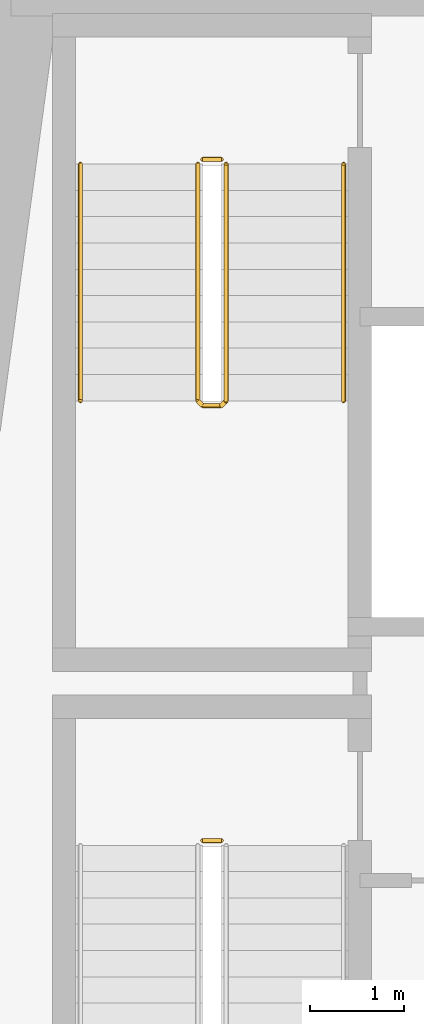
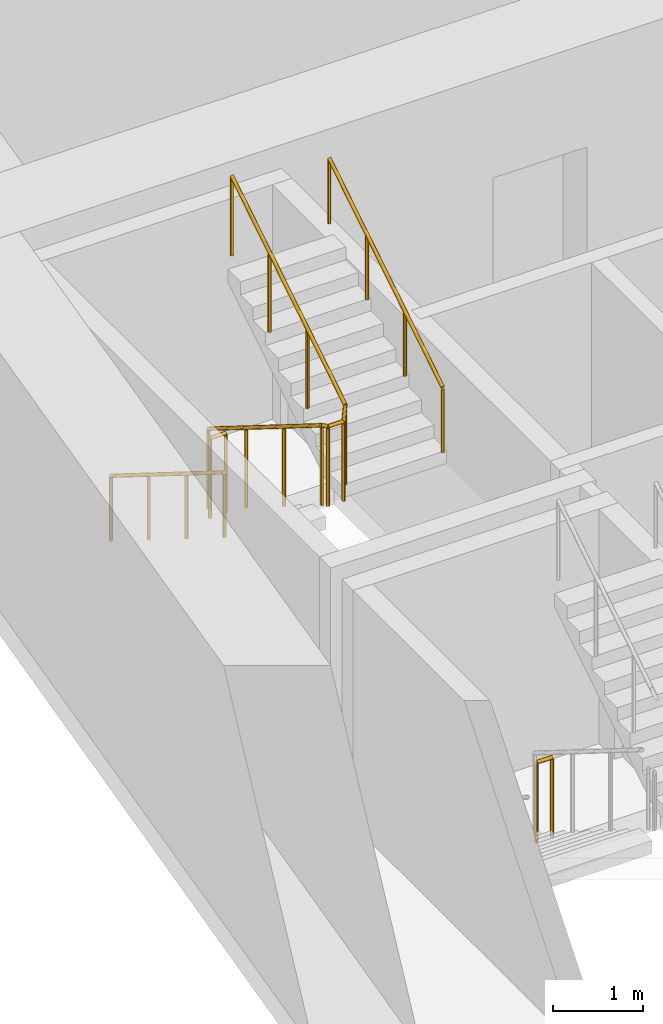
# One storey, part 10 of 13: 5 railings.
"""IFC4 building model written with IfcOpenShell, lengths in metres."""

from ifc_helpers import new_model, si_unit, direction, frame, origin, origin_2d, place, context, subcontext, project, spatial, circle, extrude, material, type_object, element, save


model = new_model("IFC4")

# Units and contexts
model_context = context("Model", 3, precision=1e-05, world=origin(), true_north=direction((0.0, 1.0)))
body_context = subcontext(model_context, "Body", "Model", "MODEL_VIEW")
ifc_project = project(units=[si_unit("LENGTHUNIT", "METRE"), si_unit("AREAUNIT", "SQUARE_METRE"), si_unit("VOLUMEUNIT", "CUBIC_METRE"), si_unit("PLANEANGLEUNIT", "RADIAN"), si_unit("MASSUNIT", "GRAM", prefix="KILO")], contexts=[model_context])

# Site, building, storey
site_placement = place(None, origin())
site = spatial("IfcSite", under=ifc_project, at=site_placement, CompositionType="ELEMENT")
building_placement = place(site_placement, origin())
building = spatial("IfcBuilding", under=site, at=building_placement, Name="Candeia Pilgrim Tower and Theatre", CompositionType="ELEMENT")
storey_placement = place(building_placement, frame((0.0, 0.0, 56.5)))
storey = spatial("IfcBuildingStorey", under=building, at=storey_placement, Name="L11", CompositionType="ELEMENT", Elevation=56.5)

# Railings
ifc_material_1 = material(Name="Stainless steel balustrade", Category="steel")
railing_type_1 = type_object("IfcRailingType", Name="RL-GUARD-1100", PredefinedType="GUARDRAIL", material=ifc_material_1)
railing_1_placement = place(storey_placement, frame((91.152099609375, 122.52490234375, 0.0)))
element("IfcRailing", 1, at=railing_1_placement, inside=storey, type_object=railing_type_1, Name="L11 ST1 stair guard 2", PredefinedType="GUARDRAIL", context=body_context, shape_type="SweptSolid", body=[
    extrude(circle(Radius=0.02392578125, at=origin_2d()), frame((0.0, 0.0, 1.076171875), z_axis=(1.0, 0.0, 0.0), x_axis=(0.0, 1.0, 0.0)), (0.0, 0.0, 1.0), 0.199951171875),
    extrude(circle(Radius=0.02099609375, at=origin_2d()), origin(), (0.0, 0.0, 1.0), 1.052001953125),
    extrude(circle(Radius=0.02099609375, at=origin_2d()), frame((0.199951171875, 0.0, 0.0)), (0.0, 0.0, 1.0), 1.052001953125),
])
railing_2_placement = place(storey_placement, frame((91.10205078125, 129.72509765625, 0.175048828125)))
element("IfcRailing", 2, at=railing_2_placement, inside=storey, type_object=railing_type_1, Name="L11 ST2 stair guard 1", PredefinedType="GUARDRAIL", context=body_context, shape_type="SweptSolid", body=[
    extrude(circle(Radius=0.02392578125, at=origin_2d()), frame((0.0, 0.0, 1.076171875), z_axis=(0.0, -0.848007534815, 0.529984170421), x_axis=(1.0, 0.0, 0.0)), (0.0, 0.0, 1.0), 2.9716796875),
    extrude(circle(Radius=0.02392578125, at=origin_2d()), frame((0.0, -2.52001953125, 2.65087890625), z_axis=(0.707106781187, -0.707106781187, 0.0), x_axis=(0.707106781187, 0.707106781187, 0.0)), (0.0, 0.0, 1.0), 0.07080078125),
    extrude(circle(Radius=0.02392578125, at=origin_2d()), frame((0.050048828125, -2.570068359375, 2.65087890625), z_axis=(1.0, 0.0, 0.0), x_axis=(0.0, 1.0, 0.0)), (0.0, 0.0, 1.0), 0.199951171875),
    extrude(circle(Radius=0.02392578125, at=origin_2d()), frame((0.25, -2.570068359375, 2.65087890625), z_axis=(0.265065253269, 0.265065253269, 0.927081885822), x_axis=(-0.707106781187, 0.707106781187, 0.0)), (0.0, 0.0, 1.0), 0.188720703125),
    extrude(circle(Radius=0.02392578125, at=origin_2d()), frame((0.300048828125, -2.52001953125, 2.826171875), z_axis=(0.0, 0.848007534815, 0.529984170421), x_axis=(-1.0, 0.0, 0.0)), (0.0, 0.0, 1.0), 2.9716796875),
    extrude(circle(Radius=0.02099609375, at=origin_2d()), origin(), (0.0, 0.0, 1.0), 1.052001953125),
    extrude(circle(Radius=0.02099609375, at=origin_2d()), frame((0.0, -0.840087890625, 0.52490234375)), (0.0, 0.0, 1.0), 1.052001953125),
    extrude(circle(Radius=0.02099609375, at=origin_2d()), frame((0.0, -1.679931640625, 1.050048828125)), (0.0, 0.0, 1.0), 1.052001953125),
    extrude(circle(Radius=0.02099609375, at=origin_2d()), frame((0.0, -2.52001953125, 1.574951171875)), (0.0, 0.0, 1.0), 1.052001953125),
    extrude(circle(Radius=0.02099609375, at=origin_2d()), frame((0.050048828125, -2.570068359375, 1.574951171875)), (0.0, 0.0, 1.0), 1.052001953125),
    extrude(circle(Radius=0.02099609375, at=origin_2d()), frame((0.25, -2.570068359375, 1.574951171875)), (0.0, 0.0, 1.0), 1.052001953125),
    extrude(circle(Radius=0.02099609375, at=origin_2d()), frame((0.300048828125, -2.52001953125, 1.75)), (0.0, 0.0, 1.0), 1.052001953125),
    extrude(circle(Radius=0.02099609375, at=origin_2d()), frame((0.300048828125, -1.679931640625, 2.27490234375)), (0.0, 0.0, 1.0), 1.052001953125),
    extrude(circle(Radius=0.02099609375, at=origin_2d()), frame((0.300048828125, -0.840087890625, 2.800048828125)), (0.0, 0.0, 1.0), 1.052001953125),
    extrude(circle(Radius=0.02099609375, at=origin_2d()), frame((0.300048828125, 0.0, 3.324951171875)), (0.0, 0.0, 1.0), 1.052001953125),
])
railing_3_placement = place(storey_placement, frame((91.152099609375, 129.77490234375, 0.0)))
element("IfcRailing", 3, at=railing_3_placement, inside=storey, type_object=railing_type_1, Name="L11 ST2 stair guard 2", PredefinedType="GUARDRAIL", context=body_context, shape_type="SweptSolid", body=[
    extrude(circle(Radius=0.02392578125, at=origin_2d()), frame((0.0, 0.0, 1.076171875), z_axis=(1.0, 0.0, 0.0), x_axis=(0.0, 1.0, 0.0)), (0.0, 0.0, 1.0), 0.199951171875),
    extrude(circle(Radius=0.02099609375, at=origin_2d()), origin(), (0.0, 0.0, 1.0), 1.052001953125),
    extrude(circle(Radius=0.02099609375, at=origin_2d()), frame((0.199951171875, 0.0, 0.0)), (0.0, 0.0, 1.0), 1.052001953125),
])
ifc_material_2 = material(Name="Stainless steel handrail", Category="steel")
railing_type_2 = type_object("IfcRailingType", Name="RL-HANDRAIL-900", PredefinedType="HANDRAIL", material=ifc_material_2)
railing_4_placement = place(storey_placement, frame((89.85205078125, 129.72509765625, 0.175048828125)))
element("IfcRailing", 4, at=railing_4_placement, inside=storey, type_object=railing_type_2, Name="L11 ST2 stair handrail 1", PredefinedType="HANDRAIL", context=body_context, shape_type="SweptSolid", body=[
    extrude(circle(Radius=0.02392578125, at=origin_2d()), frame((0.0, 0.0, 0.8759765625), z_axis=(0.0, -0.848007534815, 0.529984170421), x_axis=(1.0, 0.0, 0.0)), (0.0, 0.0, 1.0), 2.9716796875),
    extrude(circle(Radius=0.02099609375, at=origin_2d()), origin(), (0.0, 0.0, 1.0), 0.851806640625),
    extrude(circle(Radius=0.02099609375, at=origin_2d()), frame((0.0, -0.840087890625, 0.52490234375)), (0.0, 0.0, 1.0), 0.851806640625),
    extrude(circle(Radius=0.02099609375, at=origin_2d()), frame((0.0, -1.679931640625, 1.050048828125)), (0.0, 0.0, 1.0), 0.851806640625),
    extrude(circle(Radius=0.02099609375, at=origin_2d()), frame((0.0, -2.52001953125, 1.574951171875)), (0.0, 0.0, 1.0), 0.851806640625),
])
railing_5_placement = place(storey_placement, frame((92.652099609375, 127.205078125, 1.925048828125)))
element("IfcRailing", 5, at=railing_5_placement, inside=storey, type_object=railing_type_2, Name="L11 ST2 stair handrail 2", PredefinedType="HANDRAIL", context=body_context, shape_type="SweptSolid", body=[
    extrude(circle(Radius=0.02392578125, at=origin_2d()), frame((0.0, 0.0, 0.8759765625), z_axis=(0.0, 0.848007534815, 0.529984170421), x_axis=(-1.0, 0.0, 0.0)), (0.0, 0.0, 1.0), 2.9716796875),
    extrude(circle(Radius=0.02099609375, at=origin_2d()), origin(), (0.0, 0.0, 1.0), 0.851806640625),
    extrude(circle(Radius=0.02099609375, at=origin_2d()), frame((0.0, 0.840087890625, 0.52490234375)), (0.0, 0.0, 1.0), 0.851806640625),
    extrude(circle(Radius=0.02099609375, at=origin_2d()), frame((0.0, 1.679931640625, 1.050048828125)), (0.0, 0.0, 1.0), 0.851806640625),
    extrude(circle(Radius=0.02099609375, at=origin_2d()), frame((0.0, 2.52001953125, 1.574951171875)), (0.0, 0.0, 1.0), 0.851806640625),
])

save(model, "model.ifc")
